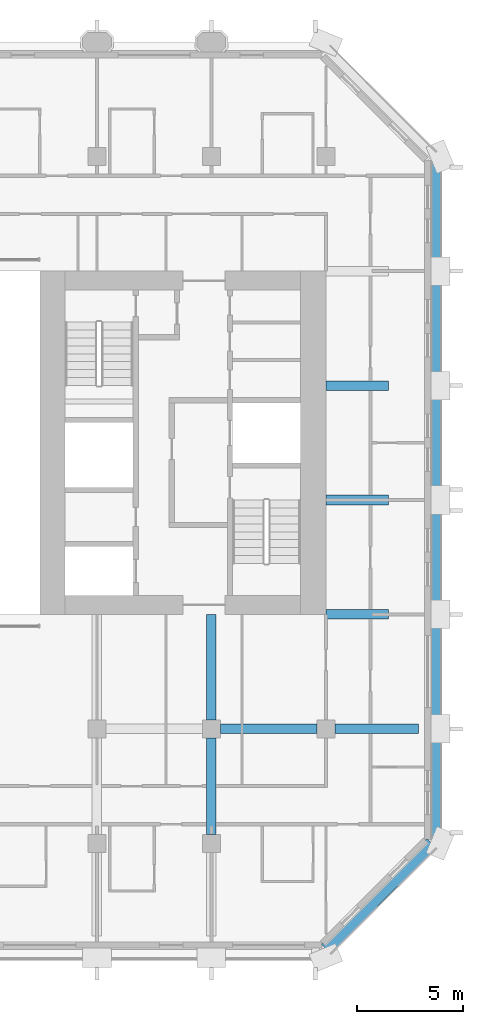
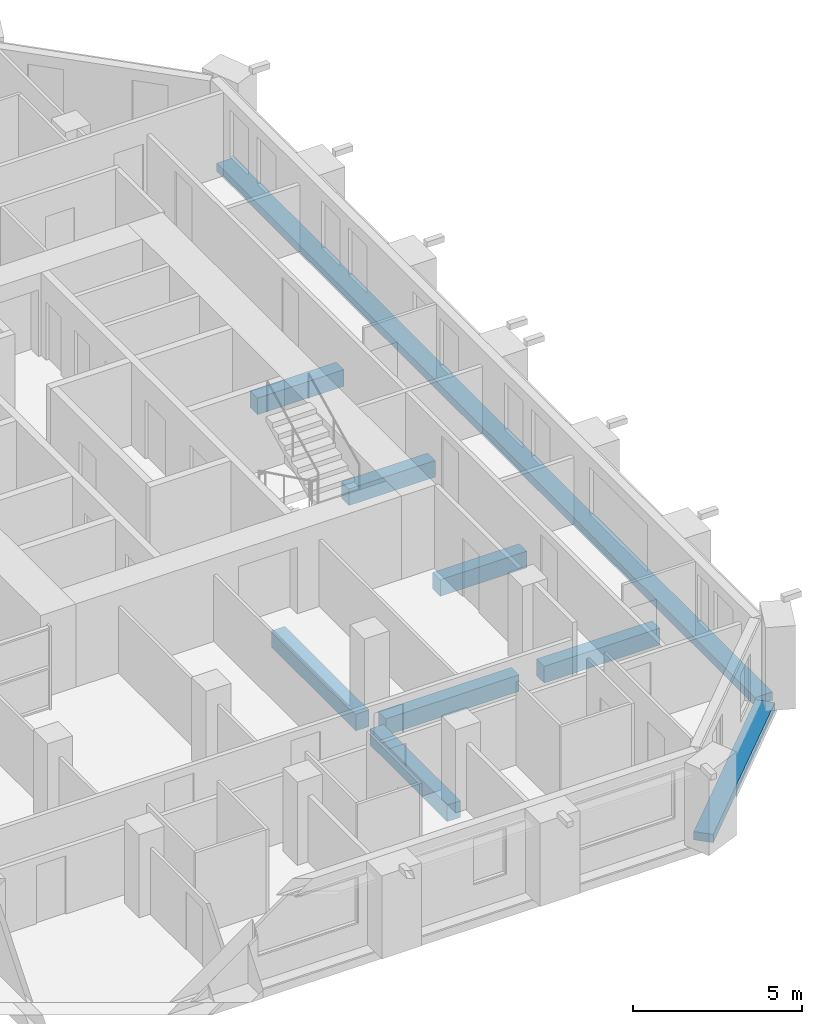
# One storey, part 3 of 13: 9 beams.
"""IFC4 building model written with IfcOpenShell, lengths in metres."""

from ifc_helpers import new_model, si_unit, direction, frame, origin, origin_2d, place, context, subcontext, project, spatial, rectangle, extrude, material, material_profile, profile_set, type_object, element, save


model = new_model("IFC4")

# Units and contexts
model_context = context("Model", 3, precision=1e-05, world=origin(), true_north=direction((0.0, 1.0)))
body_context = subcontext(model_context, "Body", "Model", "MODEL_VIEW")
ifc_project = project(units=[si_unit("LENGTHUNIT", "METRE"), si_unit("AREAUNIT", "SQUARE_METRE"), si_unit("VOLUMEUNIT", "CUBIC_METRE"), si_unit("PLANEANGLEUNIT", "RADIAN"), si_unit("MASSUNIT", "GRAM", prefix="KILO")], contexts=[model_context])

# Site, building, storey
site_placement = place(None, origin())
site = spatial("IfcSite", under=ifc_project, at=site_placement, CompositionType="ELEMENT")
building_placement = place(site_placement, origin())
building = spatial("IfcBuilding", under=site, at=building_placement, Name="Tabaq Tower and Sports Hall", CompositionType="ELEMENT")
storey_placement = place(building_placement, frame((0.0, 0.0, 162.699951171875)))
storey = spatial("IfcBuildingStorey", under=building, at=storey_placement, Name="L38", CompositionType="ELEMENT", Elevation=162.699951171875)

# Beams
ifc_material_1 = material(Name="Concrete C40/50", Category="concrete")
ifc_material_profile_1 = material_profile(ifc_material_1, rectangle(XDim=0.449951171875, YDim=0.60009765625, at=origin_2d()), Name="CB 450x600")
ifc_profile_set_1 = profile_set([ifc_material_profile_1], Name="Concrete C40/50")
beam_type_1 = type_object("IfcBeamType", Name="PT CANTILEVER BEAM CB 450x600 C40/50", PredefinedType="BEAM", material=ifc_profile_set_1)
beam_1_placement = place(storey_placement, frame((47.574951171875, 10.800048828125, -0.599853515625), z_axis=(-1.0, 0.0, 0.0), x_axis=(0.0, -1.0, 0.0)))
element("IfcBeam", 1, at=beam_1_placement, inside=storey, type_object=beam_type_1, Name="Cantilever Beam L38 E2 span 1", PredefinedType="BEAM", context=body_context, shape_type="SweptSolid", body=[
    extrude(rectangle(XDim=0.449951171875, YDim=0.60009765625, at=origin_2d()), origin(), (0.0, 0.0, 1.0), 3.949951171875),
])
beam_2_placement = place(storey_placement, frame((42.77490234375, 10.800048828125, -0.599853515625), z_axis=(-1.0, 0.0, 0.0), x_axis=(0.0, -1.0, 0.0)))
element("IfcBeam", 2, at=beam_2_placement, inside=storey, type_object=beam_type_1, Name="Cantilever Beam L38 E2 span 2", PredefinedType="BEAM", context=body_context, shape_type="SweptSolid", body=[
    extrude(rectangle(XDim=0.449951171875, YDim=0.60009765625, at=origin_2d()), origin(), (0.0, 0.0, 1.0), 4.5498046875),
])
for number, where, z_axis, x_axis, name in (
    (3, (46.14990234375, 16.199951171875, -0.599853515625), (-1.0, 0.0, 0.0), (0.0, -1.0, 0.0), "Cantilever Beam L38 E3 span 1"),
    (4, (46.14990234375, 21.60009765625, -0.599853515625), (-1.0, 0.0, 0.0), (0.0, -1.0, 0.0), "Cantilever Beam L38 E4 span 1"),
    (5, (46.14990234375, 27.0, -0.599853515625), (-1.0, 0.0, 0.0), (0.0, -1.0, 0.0), "Cantilever Beam L38 E5 span 1"),
):
    element("IfcBeam", number, at=place(storey_placement, frame(where, z_axis=z_axis, x_axis=x_axis)), inside=storey, type_object=beam_type_1, Name=name, PredefinedType="BEAM", context=body_context, shape_type="SweptSolid", body=[
        extrude(rectangle(XDim=0.449951171875, YDim=0.60009765625, at=origin_2d()), origin(), (0.0, 0.0, 1.0), 2.949951171875),
    ])
beam_3_placement = place(storey_placement, frame((37.800048828125, 5.824951171875, -0.599853515625), z_axis=(0.0, 1.0, 0.0), x_axis=(-1.0, 0.0, 0.0)))
element("IfcBeam", 6, at=beam_3_placement, inside=storey, type_object=beam_type_1, Name="Cantilever Beam L38 S7 span 2", PredefinedType="BEAM", context=body_context, shape_type="SweptSolid", body=[
    extrude(rectangle(XDim=0.449951171875, YDim=0.60009765625, at=origin_2d()), origin(), (0.0, 0.0, 1.0), 4.550048828125),
])
beam_4_placement = place(storey_placement, frame((37.800048828125, 11.22509765625, -0.599853515625), z_axis=(0.0, 1.0, 0.0), x_axis=(-1.0, 0.0, 0.0)))
element("IfcBeam", 7, at=beam_4_placement, inside=storey, type_object=beam_type_1, Name="Cantilever Beam L38 S7 span 3", PredefinedType="BEAM", context=body_context, shape_type="SweptSolid", body=[
    extrude(rectangle(XDim=0.449951171875, YDim=0.60009765625, at=origin_2d()), origin(), (0.0, 0.0, 1.0), 4.974853515625),
])
ifc_material_2 = material(Name="Concrete C40/50", Category="concrete")
ifc_material_profile_2 = material_profile(ifc_material_2, rectangle(XDim=0.60009765625, YDim=0.300048828125, at=origin_2d()), Name="EB 600x300")
ifc_profile_set_2 = profile_set([ifc_material_profile_2], Name="Concrete C40/50")
beam_type_2 = type_object("IfcBeamType", Name="PT EDGE BEAM EB 600x300 C40/50", PredefinedType="SPANDREL", material=ifc_profile_set_2)
beam_5_placement = place(storey_placement, frame((43.198974609375, 0.42333984375, -0.14990234375), z_axis=(0.707106781187, 0.707106781187, 0.0), x_axis=(-0.707106781187, 0.707106781187, 0.0)))
element("IfcBeam", 8, at=beam_5_placement, inside=storey, type_object=beam_type_2, Name="Edge Beam L38 2", PredefinedType="SPANDREL", context=body_context, shape_type="SweptSolid", body=[
    extrude(rectangle(XDim=0.60009765625, YDim=0.300048828125, at=origin_2d()), origin(), (0.0, 0.0, 1.0), 7.03955078125),
])
beam_6_placement = place(storey_placement, frame((48.300048828125, 5.698486328125, -0.14990234375), z_axis=(0.0, 1.0, 0.0), x_axis=(-1.0, 0.0, 0.0)))
element("IfcBeam", 9, at=beam_6_placement, inside=storey, type_object=beam_type_2, Name="Edge Beam L38 3", PredefinedType="SPANDREL", context=body_context, shape_type="SweptSolid", body=[
    extrude(rectangle(XDim=0.60009765625, YDim=0.300048828125, at=origin_2d()), origin(), (0.0, 0.0, 1.0), 31.802978515625),
])

save(model, "model.ifc")
